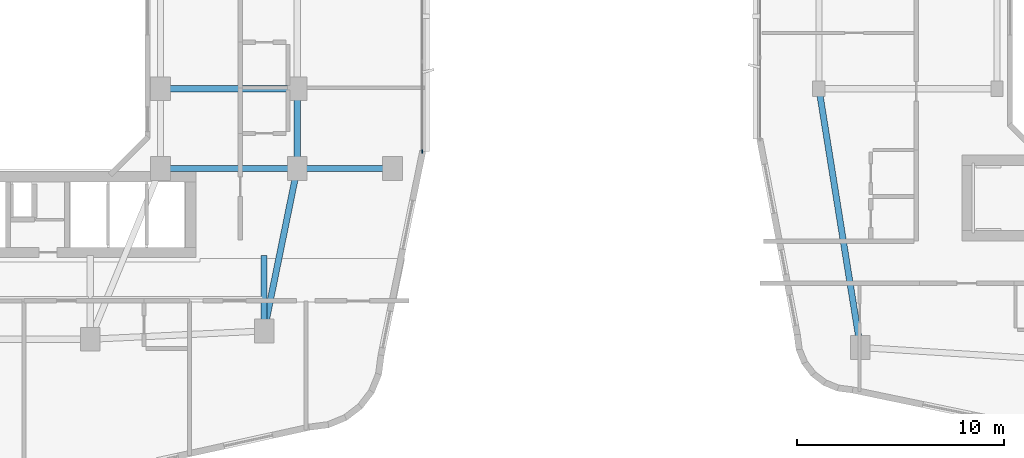
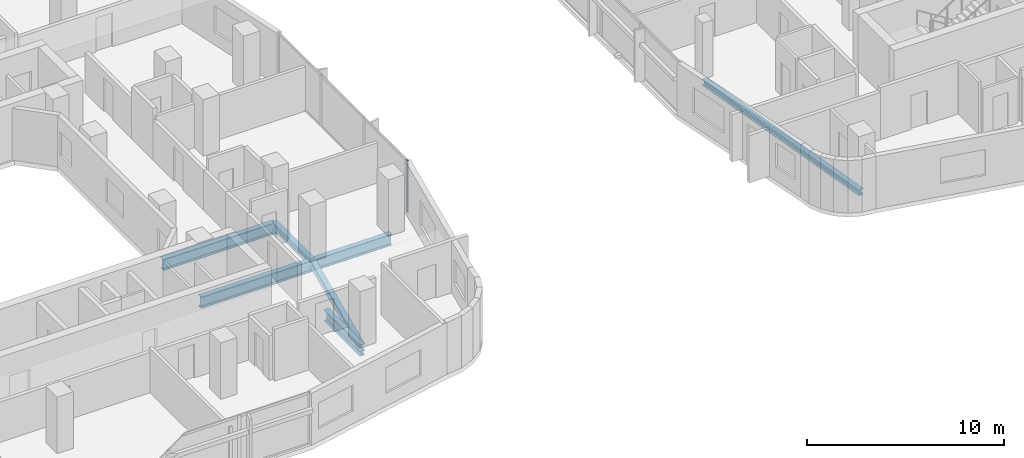
# One storey, part 4 of 27: 7 beams, 1 member, 1 element without a shape of its own.
"""IFC4 building model written with IfcOpenShell, lengths in metres."""

from ifc_helpers import new_model, si_unit, derived_unit, direction, frame, origin, origin_2d, place, context, subcontext, project, spatial, rectangle, i_section, extrude, material, layer, layer_set, material_profile, profile_set, type_object, element, aggregate, save


model = new_model("IFC4")

# Units and contexts
model_context = context("Model", 3, precision=1e-05, world=origin(), true_north=direction((0.0, 1.0)))
body_context = subcontext(model_context, "Body", "Model", "MODEL_VIEW")
ifc_project = project(units=[si_unit("LENGTHUNIT", "METRE"), si_unit("AREAUNIT", "SQUARE_METRE"), si_unit("VOLUMEUNIT", "CUBIC_METRE"), si_unit("PLANEANGLEUNIT", "RADIAN"), si_unit("MASSUNIT", "GRAM", prefix="KILO"), derived_unit("THERMALTRANSMITTANCEUNIT", [(si_unit("POWERUNIT", "WATT"), 1), (si_unit("LENGTHUNIT", "METRE"), -2), (si_unit("THERMODYNAMICTEMPERATUREUNIT", "KELVIN"), -1)])], contexts=[model_context])

# Site, building, storey
site_placement = place(None, origin())
site = spatial("IfcSite", under=ifc_project, at=site_placement, CompositionType="ELEMENT")
building_placement = place(site_placement, origin())
building = spatial("IfcBuilding", under=site, at=building_placement, Name="Kivonza Crest Hotel", CompositionType="ELEMENT")
storey_placement = place(building_placement, frame((0.0, 0.0, 76.5)))
storey = spatial("IfcBuildingStorey", under=building, at=storey_placement, Name="L20", CompositionType="ELEMENT", Elevation=76.5)

# Beams
ifc_material_1 = material(Name="Steel S355", Category="steel")
ifc_material_profile_1 = material_profile(ifc_material_1, i_section(OverallWidth=0.300048828125, OverallDepth=0.360107421875, WebThickness=0.012451171875, FlangeThickness=0.0224609375, FilletRadius=0.027099609375, at=origin_2d()), Name="HEB 360")
ifc_profile_set_1 = profile_set([ifc_material_profile_1], Name="Steel S355")
beam_type_1 = type_object("IfcBeamType", Name="BM-HEB360", PredefinedType="SPANDREL", material=ifc_profile_set_1)
beam_1_placement = place(storey_placement, frame((61.0, 21.5, -0.429931640625), z_axis=(0.157990501107, -0.987440631917, 0.0), x_axis=(0.987440631917, 0.157990501107, 0.0)))
element("IfcBeam", 1, at=beam_1_placement, inside=storey, type_object=beam_type_1, Name="Companion Tower T2 L20 perimeter spandrel W1-SW", PredefinedType="SPANDREL", context=body_context, shape_type="SweptSolid", body=[
    extrude(i_section(OverallWidth=0.300048828125, OverallDepth=0.360107421875, WebThickness=0.012451171875, FlangeThickness=0.0224609375, FilletRadius=0.027099609375, at=origin_2d()), origin(), (0.0, 0.0, 1.0), 12.658935546875),
])
ifc_material_profile_2 = material_profile(ifc_material_1, i_section(OverallWidth=0.300048828125, OverallDepth=0.449951171875, WebThickness=0.013916015625, FlangeThickness=0.02587890625, FilletRadius=0.027099609375, at=origin_2d()), Name="HEB 450")
ifc_profile_set_2 = profile_set([ifc_material_profile_2], Name="Steel S355")
beam_type_2 = type_object("IfcBeamType", Name="BM-HEB450", PredefinedType="SPANDREL", material=ifc_profile_set_2)
beam_2_placement = place(storey_placement, frame((34.199951171875, 9.800048828125, -0.5048828125), z_axis=(0.199730733965, 0.979850822273, 0.0), x_axis=(-0.979850822273, 0.199730733965, 0.0)))
element("IfcBeam", 2, at=beam_2_placement, inside=storey, type_object=beam_type_2, Name="Tower T1 L20 perimeter spandrel SE-PSE", PredefinedType="SPANDREL", context=body_context, shape_type="SweptSolid", body=[
    extrude(i_section(OverallWidth=0.300048828125, OverallDepth=0.449951171875, WebThickness=0.013916015625, FlangeThickness=0.02587890625, FilletRadius=0.027099609375, at=origin_2d()), origin(), (0.0, 0.0, 1.0), 8.01123046875),
])
beam_3_placement = place(storey_placement, frame((35.800048828125, 17.64990234375, -0.5048828125), z_axis=(0.0, 1.0, 0.0), x_axis=(-1.0, 0.0, 0.0)))
element("IfcBeam", 3, at=beam_3_placement, inside=storey, type_object=beam_type_2, Name="Tower T1 L20 perimeter spandrel PSE-E1", PredefinedType="SPANDREL", context=body_context, shape_type="SweptSolid", body=[
    extrude(i_section(OverallWidth=0.300048828125, OverallDepth=0.449951171875, WebThickness=0.013916015625, FlangeThickness=0.02587890625, FilletRadius=0.027099609375, at=origin_2d()), origin(), (0.0, 0.0, 1.0), 3.85009765625),
])
ifc_material_profile_3 = material_profile(ifc_material_1, i_section(OverallWidth=0.300048828125, OverallDepth=0.699951171875, WebThickness=0.01708984375, FlangeThickness=0.031982421875, FilletRadius=0.027099609375, at=origin_2d()), Name="HEB 700")
ifc_profile_set_3 = profile_set([ifc_material_profile_3], Name="Steel S355")
beam_type_3 = type_object("IfcBeamType", Name="BM-HEB700", PredefinedType="BEAM", material=ifc_profile_set_3)
for number, where, z_axis, x_axis, name in (
    (4, (29.199951171875, 17.64990234375, -0.6298828125), (1.0, 0.0, 0.0), (0.0, 1.0, 0.0), "Tower T1 L20 primary girder TSE-PSE"),
    (5, (29.199951171875, 21.5, -0.6298828125), (1.0, 0.0, 0.0), (0.0, 1.0, 0.0), "Tower T1 L20 primary girder WR1-E1"),
):
    element("IfcBeam", number, at=place(storey_placement, frame(where, z_axis=z_axis, x_axis=x_axis)), inside=storey, type_object=beam_type_3, Name=name, PredefinedType="BEAM", context=body_context, shape_type="SweptSolid", body=[
        extrude(i_section(OverallWidth=0.300048828125, OverallDepth=0.699951171875, WebThickness=0.01708984375, FlangeThickness=0.031982421875, FilletRadius=0.027099609375, at=origin_2d()), origin(), (0.0, 0.0, 1.0), 6.60009765625),
    ])
beam_4_placement = place(storey_placement, frame((40.39990234375, 17.64990234375, -0.6298828125), z_axis=(-1.0, 0.0, 0.0), x_axis=(0.0, -1.0, 0.0)))
element("IfcBeam", 6, at=beam_4_placement, inside=storey, type_object=beam_type_3, Name="Tower T1 L20 outer bay girder ZE1", PredefinedType="BEAM", context=body_context, shape_type="SweptSolid", body=[
    extrude(i_section(OverallWidth=0.300048828125, OverallDepth=0.699951171875, WebThickness=0.01708984375, FlangeThickness=0.031982421875, FilletRadius=0.027099609375, at=origin_2d()), origin(), (0.0, 0.0, 1.0), 4.599853515625),
])
beam_5_placement = place(storey_placement, frame((34.199951171875, 9.800048828125, -0.6298828125), z_axis=(0.0, 1.0, 0.0), x_axis=(-1.0, 0.0, 0.0)))
element("IfcBeam", 7, at=beam_5_placement, inside=storey, type_object=beam_type_3, Name="Tower T1 L20 radial core girder RSE", PredefinedType="BEAM", context=body_context, shape_type="SweptSolid", body=[
    extrude(i_section(OverallWidth=0.300048828125, OverallDepth=0.699951171875, WebThickness=0.01708984375, FlangeThickness=0.031982421875, FilletRadius=0.027099609375, at=origin_2d()), origin(), (0.0, 0.0, 1.0), 3.64990234375),
])

# Curtain wall, member
ifc_material_2 = material(Name="Anodised bronze aluminium and low-E double glazing", Category="aluminium")
ifc_layer = layer(ifc_material_2, 0.179931640625)
ifc_layer_set = layer_set([ifc_layer], Name="Anodised bronze aluminium and low-E double glazing")
curtain_wall_type = type_object("IfcCurtainWallType", Name="CW-SYS-2", PredefinedType="NOTDEFINED", material=ifc_layer_set)
curtain_wall_placement = place(storey_placement, origin())
curtain_wall = element("IfcCurtainWall", 8, at=curtain_wall_placement, inside=storey, type_object=curtain_wall_type, Name="L20 unitised curtain wall CW-T1-L20-17", PredefinedType="NOTDEFINED")
ifc_material_3 = material(Name="Anodised bronze aluminium", Category="aluminium")
ifc_material_profile_4 = material_profile(ifc_material_3, rectangle(XDim=0.06494140625, YDim=0.179931640625, at=origin_2d()), Name="CW-M 65x180")
ifc_profile_set_4 = profile_set([ifc_material_profile_4], Name="Anodised bronze aluminium")
member_type = type_object("IfcMemberType", Name="CW-MUL-65x180", PredefinedType="MULLION", material=ifc_profile_set_4)
member_placement = place(storey_placement, frame((41.840087890625, 18.472412109375, 0.0), z_axis=(0.0, 0.0, 1.0), x_axis=(-1.0, 0.0, 0.0)))
member = element("IfcMember", 9, at=member_placement, type_object=member_type, Name="CW-2 mullion 1", PredefinedType="MULLION", context=body_context, shape_type="SweptSolid", body=[
    extrude(rectangle(XDim=0.06494140625, YDim=0.179931640625, at=origin_2d()), origin(), (0.0, 0.0, 1.0), 3.219970703125),
])
aggregate(curtain_wall, [member])

save(model, "model.ifc")
